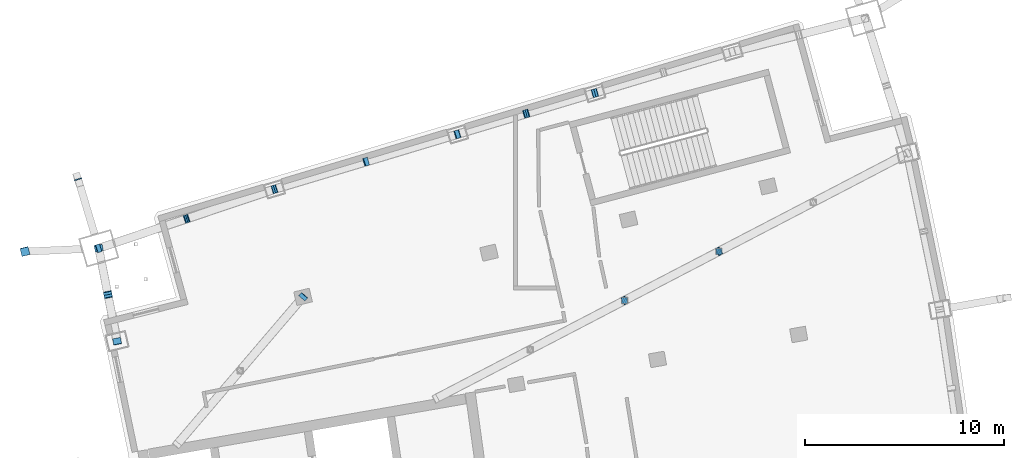
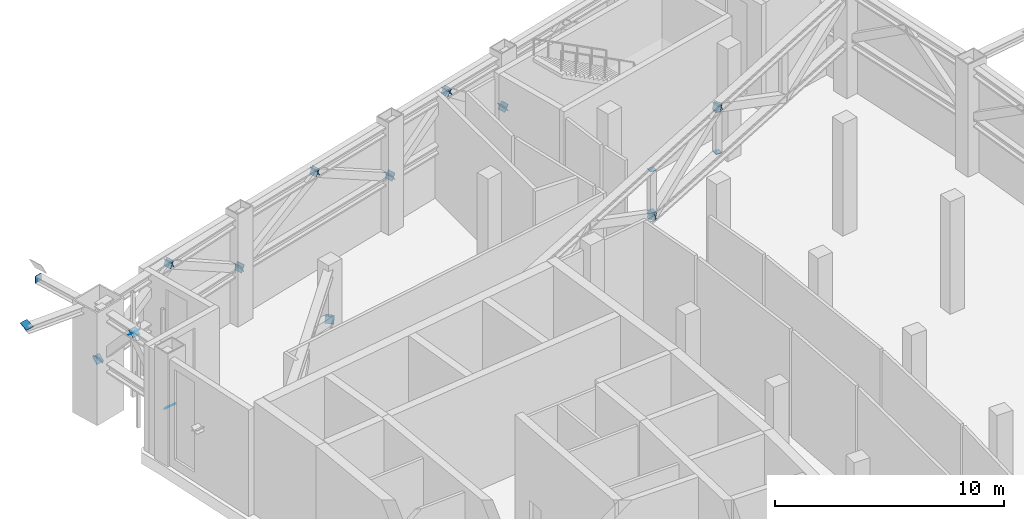
# One storey, part 21 of 23: 28 discrete accessories.
"""IFC4 building model written with IfcOpenShell, lengths in metres."""

from ifc_helpers import new_model, si_unit, direction, frame, origin, origin_2d, place, context, subcontext, project, spatial, rectangle, extrude, material, material_profile, profile_set, type_object, element, save


model = new_model("IFC4")

# Units and contexts
model_context = context("Model", 3, precision=1e-05, world=origin(), true_north=direction((0.0, 1.0)))
body_context = subcontext(model_context, "Body", "Model", "MODEL_VIEW")
ifc_project = project(units=[si_unit("LENGTHUNIT", "METRE"), si_unit("AREAUNIT", "SQUARE_METRE"), si_unit("VOLUMEUNIT", "CUBIC_METRE"), si_unit("PLANEANGLEUNIT", "RADIAN"), si_unit("MASSUNIT", "GRAM", prefix="KILO")], contexts=[model_context])

# Site, building, storey
site_placement = place(None, origin())
site = spatial("IfcSite", under=ifc_project, at=site_placement, CompositionType="ELEMENT")
building_placement = place(site_placement, origin())
building = spatial("IfcBuilding", under=site, at=building_placement, Name="Alderwake Tower", CompositionType="ELEMENT")
storey_placement = place(building_placement, frame((0.0, 0.0, 239.60009765625)))
storey = spatial("IfcBuildingStorey", under=building, at=storey_placement, Name="L59", CompositionType="ELEMENT", Elevation=239.60009765625)

# Discrete accessories
ifc_material_1 = material(Name="Steel ASTM A572 Grade 50", Category="steel")
ifc_material_profile_1 = material_profile(ifc_material_1, rectangle(XDim=0.3046875, YDim=0.3046875, at=origin_2d()), Name="HSS12X12X1/2 cap")
ifc_profile_set_1 = profile_set([ifc_material_profile_1], Name="Steel ASTM A572 Grade 50")
discrete_accessory_type_1 = type_object("IfcDiscreteAccessoryType", Name="End cap plate HSS12X12X1/2", PredefinedType="USERDEFINED", material=ifc_profile_set_1)
discrete_accessory_1_placement = place(storey_placement, frame((39.467041015625, 85.376708984375, 3.014404296875), z_axis=(0.0, 0.0, -1.0), x_axis=(1.0, 0.0, 0.0)))
element("IfcDiscreteAccessory", 1, at=discrete_accessory_1_placement, inside=storey, type_object=discrete_accessory_type_1, Name="End cap OR59NF.P2 S", ObjectType="END CAP", PredefinedType="USERDEFINED", context=body_context, shape_type="SweptSolid", body=[
    extrude(rectangle(XDim=0.3046875, YDim=0.3046875, at=origin_2d()), origin(), (0.0, 0.0, 1.0), 0.02978515625),
])
discrete_accessory_2_placement = place(storey_placement, frame((39.467041015625, 85.376708984375, 5.21533203125), z_axis=(0.0, 0.0, 1.0), x_axis=(1.0, 0.0, 0.0)))
element("IfcDiscreteAccessory", 2, at=discrete_accessory_2_placement, inside=storey, type_object=discrete_accessory_type_1, Name="End cap OR59NF.P2 N", ObjectType="END CAP", PredefinedType="USERDEFINED", context=body_context, shape_type="SweptSolid", body=[
    extrude(rectangle(XDim=0.3046875, YDim=0.3046875, at=origin_2d()), origin(), (0.0, 0.0, 1.0), 0.030029296875),
])
discrete_accessory_3_placement = place(storey_placement, frame((44.20361328125, 87.841064453125, 3.014404296875), z_axis=(0.0, 0.0, -1.0), x_axis=(1.0, 0.0, 0.0)))
element("IfcDiscreteAccessory", 3, at=discrete_accessory_3_placement, inside=storey, type_object=discrete_accessory_type_1, Name="End cap OR59NF.P3 S", ObjectType="END CAP", PredefinedType="USERDEFINED", context=body_context, shape_type="SweptSolid", body=[
    extrude(rectangle(XDim=0.3046875, YDim=0.3046875, at=origin_2d()), origin(), (0.0, 0.0, 1.0), 0.02978515625),
])
discrete_accessory_4_placement = place(storey_placement, frame((44.20361328125, 87.841064453125, 5.21533203125), z_axis=(0.0, 0.0, 1.0), x_axis=(1.0, 0.0, 0.0)))
element("IfcDiscreteAccessory", 4, at=discrete_accessory_4_placement, inside=storey, type_object=discrete_accessory_type_1, Name="End cap OR59NF.P3 N", ObjectType="END CAP", PredefinedType="USERDEFINED", context=body_context, shape_type="SweptSolid", body=[
    extrude(rectangle(XDim=0.3046875, YDim=0.3046875, at=origin_2d()), origin(), (0.0, 0.0, 1.0), 0.030029296875),
])
ifc_material_2 = material(Name="Steel ASTM A572 Grade 50", Category="steel")
ifc_material_profile_2 = material_profile(ifc_material_2, rectangle(XDim=0.406494140625, YDim=0.406494140625, at=origin_2d()), Name="HSS16X16X5/8 cap")
ifc_profile_set_2 = profile_set([ifc_material_profile_2], Name="Steel ASTM A572 Grade 50")
discrete_accessory_type_2 = type_object("IfcDiscreteAccessoryType", Name="End cap plate HSS16X16X5/8", PredefinedType="USERDEFINED", material=ifc_profile_set_2)
for number, where, z_axis, x_axis, name in (
    (5, (13.982177734375, 83.3359375, 2.7822265625), (0.130120009726, -0.650600048632, -0.748190055927), (0.980580675691, 0.196116135138, 0.0), "End cap BT59R11.D1 S"),
    (6, (13.522705078125, 85.666748046875, 5.447509765625), (-0.130120009726, 0.650600048632, 0.748190055927), (-0.980580675691, -0.196116135138, 0.0), "End cap BT59R11.D1 N"),
    (7, (13.06298828125, 87.99755859375, 2.7822265625), (-0.130120009726, 0.650600048632, -0.748190055927), (-0.980580675691, -0.196116135138, 0.0), "End cap BT59R11.D2 S"),
    (8, (13.522705078125, 85.666748046875, 5.447509765625), (0.130120009726, -0.650600048632, 0.748190055927), (0.980580675691, 0.196116135138, 0.0), "End cap BT59R11.D2 N"),
    (9, (13.06298828125, 87.99755859375, 2.7822265625), (-0.822525752712, -0.276889857349, -0.496772979361), (0.319041445375, -0.947740764203, 0.0), "End cap BT59E120.D1 S"),
    (10, (17.474365234375, 89.47998046875, 5.447509765625), (0.822525752712, 0.276889857349, 0.496772979361), (-0.319041445375, 0.947740764203, 0.0), "End cap BT59E120.D1 N"),
):
    element("IfcDiscreteAccessory", number, at=place(storey_placement, frame(where, z_axis=z_axis, x_axis=x_axis)), inside=storey, type_object=discrete_accessory_type_2, Name=name, ObjectType="END CAP", PredefinedType="USERDEFINED", context=body_context, shape_type="SweptSolid", body=[
        extrude(rectangle(XDim=0.406494140625, YDim=0.406494140625, at=origin_2d()), origin(), (0.0, 0.0, 1.0), 0.030029296875),
    ])
discrete_accessory_5_placement = place(storey_placement, frame((21.885498046875, 90.96240234375, 2.7822265625), z_axis=(0.825133622151, 0.275044540717, -0.493462264228), x_axis=(-0.316227766017, 0.948683298051, 0.0)))
element("IfcDiscreteAccessory", 11, at=discrete_accessory_5_placement, inside=storey, type_object=discrete_accessory_type_2, Name="End cap BT59E120.D2 S", ObjectType="END CAP", PredefinedType="USERDEFINED", context=body_context, shape_type="SweptSolid", body=[
    extrude(rectangle(XDim=0.406494140625, YDim=0.406494140625, at=origin_2d()), origin(), (0.0, 0.0, 1.0), 0.0302734375),
])
discrete_accessory_6_placement = place(storey_placement, frame((17.474365234375, 89.47998046875, 5.447509765625), z_axis=(-0.822525752712, -0.276889857349, 0.496772979361), x_axis=(0.319041445375, -0.947740764203, 0.0)))
element("IfcDiscreteAccessory", 12, at=discrete_accessory_6_placement, inside=storey, type_object=discrete_accessory_type_2, Name="End cap BT59E120.D2 N", ObjectType="END CAP", PredefinedType="USERDEFINED", context=body_context, shape_type="SweptSolid", body=[
    extrude(rectangle(XDim=0.406494140625, YDim=0.406494140625, at=origin_2d()), origin(), (0.0, 0.0, 1.0), 0.030029296875),
])
discrete_accessory_7_placement = place(storey_placement, frame((21.885498046875, 90.96240234375, 2.7822265625), z_axis=(-0.835504418211, -0.245736593591, -0.491473187183), x_axis=(0.282166323992, -0.959365501571, 0.0)))
element("IfcDiscreteAccessory", 13, at=discrete_accessory_7_placement, inside=storey, type_object=discrete_accessory_type_2, Name="End cap BT59E121.D1 S", ObjectType="END CAP", PredefinedType="USERDEFINED", context=body_context, shape_type="SweptSolid", body=[
    extrude(rectangle(XDim=0.406494140625, YDim=0.406494140625, at=origin_2d()), origin(), (0.0, 0.0, 1.0), 0.02978515625),
])
for number, where, z_axis, x_axis, name in (
    (14, (26.48291015625, 92.3427734375, 5.447509765625), (0.836265988917, 0.251691705402, 0.487145236262), (-0.288200688743, 0.957570030341, 0.0), "End cap BT59E121.D1 N"),
    (15, (31.080322265625, 93.72314453125, 2.7822265625), (0.836265988917, 0.251691705402, -0.487145236262), (-0.288200688743, 0.957570030341, 0.0), "End cap BT59E121.D2 S"),
):
    element("IfcDiscreteAccessory", number, at=place(storey_placement, frame(where, z_axis=z_axis, x_axis=x_axis)), inside=storey, type_object=discrete_accessory_type_2, Name=name, ObjectType="END CAP", PredefinedType="USERDEFINED", context=body_context, shape_type="SweptSolid", body=[
        extrude(rectangle(XDim=0.406494140625, YDim=0.406494140625, at=origin_2d()), origin(), (0.0, 0.0, 1.0), 0.030029296875),
    ])
discrete_accessory_8_placement = place(storey_placement, frame((26.48291015625, 92.3427734375, 5.447509765625), z_axis=(-0.833799847145, -0.253409757466, 0.49047049832), x_axis=(0.290788330333, -0.956787409482, 0.0)))
element("IfcDiscreteAccessory", 16, at=discrete_accessory_8_placement, inside=storey, type_object=discrete_accessory_type_2, Name="End cap BT59E121.D2 N", ObjectType="END CAP", PredefinedType="USERDEFINED", context=body_context, shape_type="SweptSolid", body=[
    extrude(rectangle(XDim=0.406494140625, YDim=0.406494140625, at=origin_2d()), origin(), (0.0, 0.0, 1.0), 0.02978515625),
])
discrete_accessory_9_placement = place(storey_placement, frame((31.080322265625, 93.72314453125, 2.7822265625), z_axis=(-0.772128094399, -0.227574596244, -0.593319483065), x_axis=(0.282712925106, -0.959204567325, 0.0)))
element("IfcDiscreteAccessory", 17, at=discrete_accessory_9_placement, inside=storey, type_object=discrete_accessory_type_2, Name="End cap BT59E122.D1 S", ObjectType="END CAP", PredefinedType="USERDEFINED", context=body_context, shape_type="SweptSolid", body=[
    extrude(rectangle(XDim=0.406494140625, YDim=0.406494140625, at=origin_2d()), origin(), (0.0, 0.0, 1.0), 0.030029296875),
])
discrete_accessory_10_placement = place(storey_placement, frame((34.5283203125, 94.75830078125, 5.447509765625), z_axis=(0.768406241374, 0.226477629037, 0.598548019597), x_axis=(-0.282712925106, 0.959204567325, 0.0)))
element("IfcDiscreteAccessory", 18, at=discrete_accessory_10_placement, inside=storey, type_object=discrete_accessory_type_2, Name="End cap BT59E122.D1 N", ObjectType="END CAP", PredefinedType="USERDEFINED", context=body_context, shape_type="SweptSolid", body=[
    extrude(rectangle(XDim=0.406494140625, YDim=0.406494140625, at=origin_2d()), origin(), (0.0, 0.0, 1.0), 0.0302734375),
])
discrete_accessory_11_placement = place(storey_placement, frame((37.976318359375, 95.79345703125, 2.7822265625), z_axis=(0.772128094399, 0.227574596244, -0.593319483065), x_axis=(-0.282712925106, 0.959204567325, 0.0)))
element("IfcDiscreteAccessory", 19, at=discrete_accessory_11_placement, inside=storey, type_object=discrete_accessory_type_2, Name="End cap BT59E122.D2 S", ObjectType="END CAP", PredefinedType="USERDEFINED", context=body_context, shape_type="SweptSolid", body=[
    extrude(rectangle(XDim=0.406494140625, YDim=0.406494140625, at=origin_2d()), origin(), (0.0, 0.0, 1.0), 0.030029296875),
])
discrete_accessory_12_placement = place(storey_placement, frame((34.5283203125, 94.75830078125, 5.447509765625), z_axis=(-0.768406241374, -0.226477629037, 0.598548019597), x_axis=(0.282712925106, -0.959204567325, 0.0)))
element("IfcDiscreteAccessory", 20, at=discrete_accessory_12_placement, inside=storey, type_object=discrete_accessory_type_2, Name="End cap BT59E122.D2 N", ObjectType="END CAP", PredefinedType="USERDEFINED", context=body_context, shape_type="SweptSolid", body=[
    extrude(rectangle(XDim=0.406494140625, YDim=0.406494140625, at=origin_2d()), origin(), (0.0, 0.0, 1.0), 0.0302734375),
])
discrete_accessory_13_placement = place(storey_placement, frame((37.976318359375, 95.79345703125, 2.7822265625), z_axis=(-0.772128094399, -0.227574596244, -0.593319483065), x_axis=(0.282712925106, -0.959204567325, 0.0)))
element("IfcDiscreteAccessory", 21, at=discrete_accessory_13_placement, inside=storey, type_object=discrete_accessory_type_2, Name="End cap BT59E123.D1 S", ObjectType="END CAP", PredefinedType="USERDEFINED", context=body_context, shape_type="SweptSolid", body=[
    extrude(rectangle(XDim=0.406494140625, YDim=0.406494140625, at=origin_2d()), origin(), (0.0, 0.0, 1.0), 0.030029296875),
])
discrete_accessory_14_placement = place(storey_placement, frame((23.322021484375, 85.555908203125, 2.7822265625), z_axis=(0.572655813526, 0.662644584223, -0.482667042829), x_axis=(-0.756612936614, 0.653863031642, 0.0)))
element("IfcDiscreteAccessory", 22, at=discrete_accessory_14_placement, inside=storey, type_object=discrete_accessory_type_2, Name="End cap OR59NR.D2 S", ObjectType="END CAP", PredefinedType="USERDEFINED", context=body_context, shape_type="SweptSolid", body=[
    extrude(rectangle(XDim=0.406494140625, YDim=0.406494140625, at=origin_2d()), origin(), (0.0, 0.0, 1.0), 0.02978515625),
])
for number, where, z_axis, x_axis, name in (
    (23, (39.467041015625, 85.376708984375, 2.7822265625), (0.791079295401, 0.415928289335, -0.448550115949), (-0.465370309963, 0.885116079734, 0.0), "End cap OR59NF.D2 S"),
    (24, (39.467041015625, 85.376708984375, 2.7822265625), (-0.79410169684, -0.413257005498, -0.445669319655), (0.461637716615, -0.887068553495, 0.0), "End cap OR59NF.D3 S"),
    (25, (44.20361328125, 87.841064453125, 5.447509765625), (0.791079295401, 0.415928289335, 0.448550115949), (-0.465370309963, 0.885116079734, 0.0), "End cap OR59NF.D3 N"),
    (26, (44.20361328125, 87.841064453125, 5.447509765625), (-0.79410169684, -0.413257005498, 0.445669319655), (0.461637716615, -0.887068553495, 0.0), "End cap OR59NF.D4 N"),
):
    element("IfcDiscreteAccessory", number, at=place(storey_placement, frame(where, z_axis=z_axis, x_axis=x_axis)), inside=storey, type_object=discrete_accessory_type_2, Name=name, ObjectType="END CAP", PredefinedType="USERDEFINED", context=body_context, shape_type="SweptSolid", body=[
        extrude(rectangle(XDim=0.406494140625, YDim=0.406494140625, at=origin_2d()), origin(), (0.0, 0.0, 1.0), 0.030029296875),
    ])
ifc_material_3 = material(Name="Steel ASTM A572 Grade 50", Category="steel")
ifc_material_profile_3 = material_profile(ifc_material_3, rectangle(XDim=0.3740234375, YDim=0.372314453125, at=origin_2d()), Name="W14X132 cap")
ifc_profile_set_3 = profile_set([ifc_material_profile_3], Name="Steel ASTM A572 Grade 50")
discrete_accessory_type_3 = type_object("IfcDiscreteAccessoryType", Name="End cap plate W14X132", PredefinedType="USERDEFINED", material=ifc_profile_set_3)
discrete_accessory_15_placement = place(storey_placement, frame((12.031005859375, 91.449462890625, 5.34375), z_axis=(-0.284364947432, 0.958716108487, 0.0), x_axis=(-0.958716108487, -0.284364947432, 0.0)))
element("IfcDiscreteAccessory", 27, at=discrete_accessory_15_placement, inside=storey, type_object=discrete_accessory_type_3, Name="End cap BS.NR12-C0.2456 N", ObjectType="END CAP", PredefinedType="USERDEFINED", context=body_context, shape_type="SweptSolid", body=[
    extrude(rectangle(XDim=0.3740234375, YDim=0.372314453125, at=origin_2d()), origin(), (0.0, 0.0, 1.0), 0.030029296875),
])
ifc_material_4 = material(Name="Steel ASTM A572 Grade 50", Category="steel")
ifc_material_profile_4 = material_profile(ifc_material_4, rectangle(XDim=0.41552734375, YDim=0.445556640625, at=origin_2d()), Name="W14X342 cap")
ifc_profile_set_4 = profile_set([ifc_material_profile_4], Name="Steel ASTM A572 Grade 50")
discrete_accessory_type_4 = type_object("IfcDiscreteAccessoryType", Name="End cap plate W14X342", PredefinedType="USERDEFINED", material=ifc_profile_set_4)
discrete_accessory_16_placement = place(storey_placement, frame((9.359619140625, 87.828369140625, 6.0), z_axis=(-0.105869651339, 0.43162242469, -0.895820126716), x_axis=(-0.971210844098, -0.238221527798, 0.0)))
element("IfcDiscreteAccessory", 28, at=discrete_accessory_16_placement, inside=storey, type_object=discrete_accessory_type_4, Name="End cap BRR5.1.10B1 S", ObjectType="END CAP", PredefinedType="USERDEFINED", context=body_context, shape_type="SweptSolid", body=[
    extrude(rectangle(XDim=0.41552734375, YDim=0.445556640625, at=origin_2d()), origin(), (0.0, 0.0, 1.0), 0.030029296875),
])

save(model, "model.ifc")
